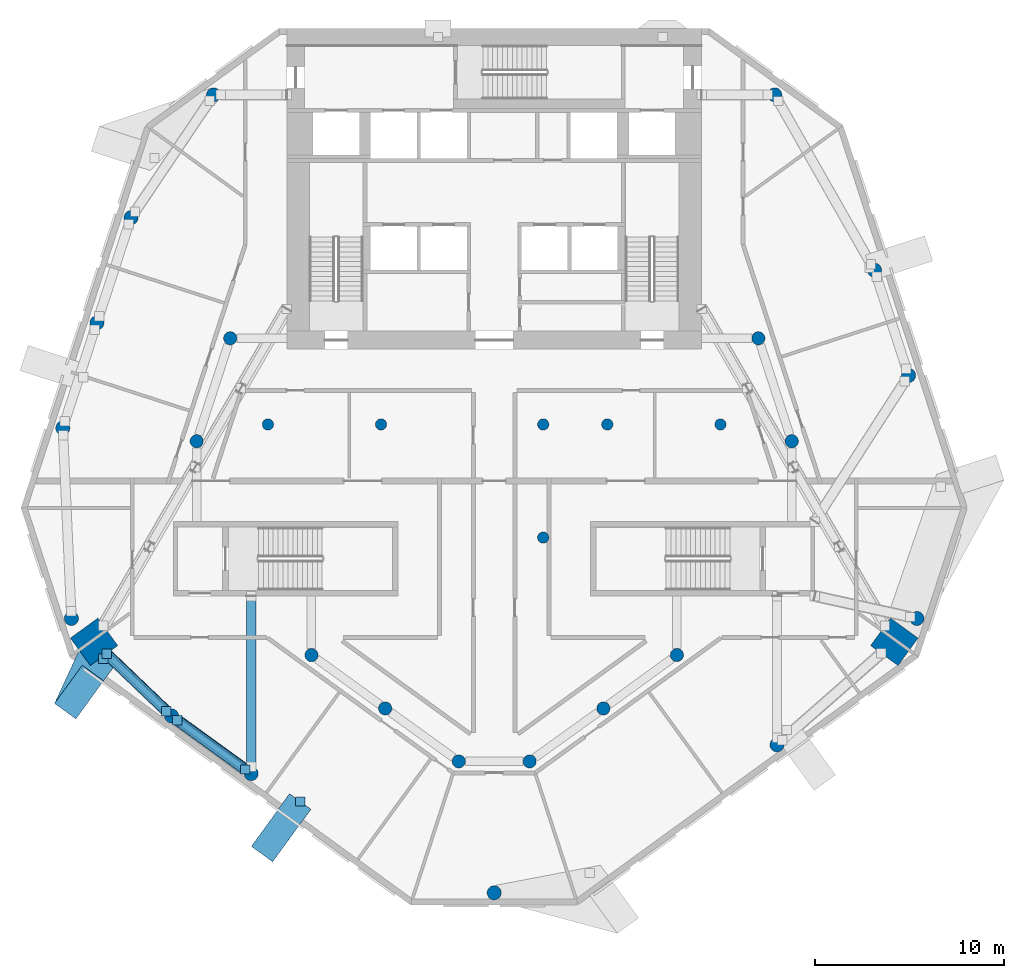
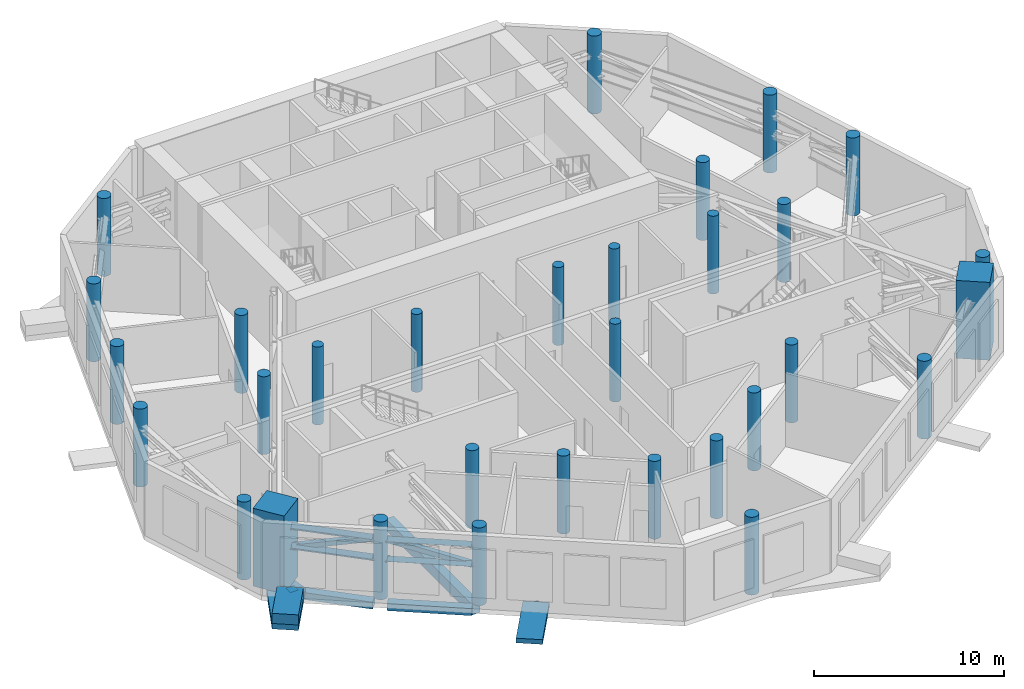
# One storey, part 1 of 17: 31 columns, 10 discrete accessories, 9 members, 3 beams.
"""IFC4 building model written with IfcOpenShell, lengths in metres."""

import ifcopenshell
import ifcopenshell.guid

model = None  # the IFC model being written
_history = None  # IfcOwnerHistory: only IFC2X3 demands one
_inside = {}  # id of a spatial element -> (the spatial element, [elements in it])
_under = {}  # id of a project, library or spatial element -> (it, [spatial elements below it])
_declared = {}  # id of a project -> (the project, [libraries it declares])
_typed = {}  # id of a type object -> (the type object, [elements of that type])
_made_of = {}  # id of a material, layer set ... -> (it, [elements and type objects made of it])


def new_model(schema):
    """Start an empty IFC model of exactly this schema.

    Asked for "IFC4X3", IfcOpenShell would pick the latest addendum, in which some entities
    have other attributes; the version numbers below select the first issue.
    IFC2X3 requires an IfcOwnerHistory on every rooted entity: one is made here for all.
    """
    global model, _history
    if schema == "IFC4X3":
        model = ifcopenshell.file(schema_version=(4, 3, 0, 0))
    else:
        model = ifcopenshell.file(schema=schema)
    _inside.clear()
    _under.clear()
    _declared.clear()
    _typed.clear()
    _made_of.clear()
    _history = None
    if model.schema == "IFC2X3":
        org = make("IfcOrganization", Name="unknown")
        user = make(
            "IfcPersonAndOrganization",
            ThePerson=make("IfcPerson", FamilyName="unknown"),
            TheOrganization=org,
        )
        app = make(
            "IfcApplication",
            ApplicationDeveloper=org,
            Version="unknown",
            ApplicationFullName="unknown",
            ApplicationIdentifier="unknown",
        )
        _history = make(
            "IfcOwnerHistory",
            OwningUser=user,
            OwningApplication=app,
            ChangeAction="ADDED",
            CreationDate=0,
        )
    return model


def make(cls, **values):
    """One entity of the class cls with the attributes given. An attribute that is None is left unset."""
    return model.create_entity(
        cls, **{name: value for name, value in values.items() if value is not None}
    )


def rooted(cls, **values):
    """An entity with a GlobalId (a new one), such as an element, a storey or a relation."""
    return make(cls, GlobalId=ifcopenshell.guid.new(), OwnerHistory=_history, **values)


def si_unit(unit_type, name, prefix=None):
    """IfcSIUnit, for example si_unit("LENGTHUNIT", "METRE", prefix="MILLI")."""
    return make("IfcSIUnit", UnitType=unit_type, Prefix=prefix, Name=name)


def assignment(units):
    """IfcUnitAssignment: the units of a project."""
    return None if units is None else make("IfcUnitAssignment", Units=units)


def point(xyz):
    """IfcCartesianPoint."""
    return None if xyz is None else make("IfcCartesianPoint", Coordinates=xyz)


def direction(xyz):
    """IfcDirection."""
    return None if xyz is None else make("IfcDirection", DirectionRatios=xyz)


def frame(location, z_axis=None, x_axis=None):
    """IfcAxis2Placement3D, a coordinate frame: its origin and axes. An axis left out is left unset."""
    return make(
        "IfcAxis2Placement3D",
        Location=point(location),
        Axis=direction(z_axis),
        RefDirection=direction(x_axis),
    )


def frame_2d(location, x_axis=None):
    """IfcAxis2Placement2D, a coordinate frame in the plane: its origin and x axis."""
    return make(
        "IfcAxis2Placement2D", Location=point(location), RefDirection=direction(x_axis)
    )


def origin():
    """The frame at (0, 0, 0) with its axes left unset."""
    return frame((0.0, 0.0, 0.0))


def origin_2d():
    """The frame at (0, 0) in the plane with its x axis left unset."""
    return frame_2d((0.0, 0.0))


def place(relative_to, where):
    """IfcLocalPlacement: puts the frame where relative to a parent placement (None: the world)."""
    return make(
        "IfcLocalPlacement", PlacementRelTo=relative_to, RelativePlacement=where
    )


def context(
    kind, dimensions, precision=None, world=None, true_north=None, identifier=None
):
    """IfcGeometricRepresentationContext, for example the 3D "Model" context."""
    return make(
        "IfcGeometricRepresentationContext",
        ContextIdentifier=identifier,
        ContextType=kind,
        CoordinateSpaceDimension=dimensions,
        Precision=precision,
        WorldCoordinateSystem=world,
        TrueNorth=true_north,
    )


def subcontext(parent, identifier, kind, view, scale=None):
    """IfcGeometricRepresentationSubContext, for example "Body" below "Model"."""
    return make(
        "IfcGeometricRepresentationSubContext",
        ContextIdentifier=identifier,
        ContextType=kind,
        ParentContext=parent,
        TargetScale=scale,
        TargetView=view,
    )


def project(units=None, contexts=None):
    """IfcProject with its units and contexts."""
    return rooted(
        "IfcProject",
        Name="project",
        RepresentationContexts=contexts,
        UnitsInContext=assignment(units),
    )


def spatial(cls, under=None, at=None, **own):
    """A site, building, storey or space (cls), placed at a placement, below another one or the project."""
    s = rooted(cls, ObjectPlacement=at, **own)
    if under is not None:
        _under.setdefault(under.id(), (under, []))[1].append(s)
    return s


def polyline(points):
    """IfcPolyline through the points."""
    return make("IfcPolyline", Points=[point(p) for p in points])


def profile(cls, at=None, kind="AREA", **sizes):
    """A parametric profile (cls). Its sizes go by their IFC names, for example OverallWidth=200.0."""
    return make(cls, ProfileType=kind, Position=at, **sizes)


def rectangle(**sizes):
    """IfcRectangleProfileDef."""
    return profile("IfcRectangleProfileDef", **sizes)


def hollow_rectangle(**sizes):
    """IfcRectangleHollowProfileDef."""
    return profile("IfcRectangleHollowProfileDef", **sizes)


def circle(**sizes):
    """IfcCircleProfileDef."""
    return profile("IfcCircleProfileDef", **sizes)


def i_section(**sizes):
    """IfcIShapeProfileDef."""
    return profile("IfcIShapeProfileDef", **sizes)


def outline(outer, holes=None, kind="AREA"):
    """IfcArbitraryClosedProfileDef: a profile drawn as a closed curve; with holes, ...WithVoids."""
    if holes is None:
        return make("IfcArbitraryClosedProfileDef", ProfileType=kind, OuterCurve=outer)
    return make(
        "IfcArbitraryProfileDefWithVoids",
        ProfileType=kind,
        OuterCurve=outer,
        InnerCurves=holes,
    )


def extrude(swept, where, along, depth):
    """IfcExtrudedAreaSolid: the profile swept, set in the frame where, extruded along a direction by depth."""
    return make(
        "IfcExtrudedAreaSolid",
        SweptArea=swept,
        Position=where,
        ExtrudedDirection=direction(along),
        Depth=depth,
    )


def shape(context_of_items, identifier, shape_type, items):
    """IfcShapeRepresentation: the items that make up one representation, for example the "Body"."""
    return make(
        "IfcShapeRepresentation",
        ContextOfItems=context_of_items,
        RepresentationIdentifier=identifier,
        RepresentationType=shape_type,
        Items=items,
    )


def material(Name=None, Category=None):
    """IfcMaterial."""
    return make("IfcMaterial", Name=Name, Category=Category)


def layer(
    of_material, thickness, ventilated=None, Name=None, Category=None, Priority=None
):
    """IfcMaterialLayer: one layer of a wall or slab, of a material (None: an air gap)."""
    return make(
        "IfcMaterialLayer",
        Material=of_material,
        LayerThickness=thickness,
        IsVentilated=ventilated,
        Name=Name,
        Category=Category,
        Priority=Priority,
    )


def layer_set(layers, Name=None):
    """IfcMaterialLayerSet."""
    return make("IfcMaterialLayerSet", MaterialLayers=layers, LayerSetName=Name)


def material_profile(
    of_material, cross_section, Name=None, Category=None, Priority=None
):
    """IfcMaterialProfile: a cross section and its material."""
    return make(
        "IfcMaterialProfile",
        Name=Name,
        Material=of_material,
        Profile=cross_section,
        Priority=Priority,
        Category=Category,
    )


def profile_set(profiles, Name=None, composite=None):
    """IfcMaterialProfileSet."""
    return make(
        "IfcMaterialProfileSet",
        Name=Name,
        MaterialProfiles=profiles,
        CompositeProfile=composite,
    )


def made_of(thing, what):
    """Note that an element or type object is made of a material, layer set ...; save() writes the relation."""
    if what is not None:
        _made_of.setdefault(what.id(), (what, []))[1].append(thing)
    return thing


def type_object(cls, material=None, **own):
    """A type object (cls), such as IfcWallType, which elements share."""
    return made_of(rooted(cls, **own), material)


def element(
    cls,
    number,
    at=None,
    inside=None,
    cuts=None,
    type_object=None,
    material=None,
    context=None,
    identifier="Body",
    shape_type=None,
    held_by="IfcProductDefinitionShape",
    body=None,
    shapes=None,
    **own,
):
    """One element of the class cls, such as IfcWall. Its Tag is "e" and its number.

    at: its placement. inside: the storey or other place that contains it. cuts: it is an
    opening in that element (IfcRelVoidsElement). A single representation is given by context,
    identifier, shape_type and body (its items); several are given by shapes. held_by: the class
    of the entity that holds the representations. save() writes the other relations.
    """
    e = rooted(cls, Tag="e%d" % number, ObjectPlacement=at, **own)
    if body is not None:
        shapes = [shape(context, identifier, shape_type, body)]
    if shapes is not None:
        e.Representation = make(held_by, Representations=shapes)
    if inside is not None:
        _inside.setdefault(inside.id(), (inside, []))[1].append(e)
    if cuts is not None:
        rooted(
            "IfcRelVoidsElement", RelatingBuildingElement=cuts, RelatedOpeningElement=e
        )
    if type_object is not None:
        _typed.setdefault(type_object.id(), (type_object, []))[1].append(e)
    return made_of(e, material)


def aggregate(whole, parts):
    """IfcRelAggregates: a whole, such as a stair, and the parts it consists of."""
    return rooted("IfcRelAggregates", RelatingObject=whole, RelatedObjects=parts)


def save(model, path):
    """Write the relations noted so far, then the file.

    IfcRelAggregates (storeys below a building ...), IfcRelContainedInSpatialStructure (elements
    in a storey), IfcRelDefinesByType, IfcRelAssociatesMaterial and IfcRelDeclares: one each for
    every whole, place, type object, material and project.
    """
    for whole, parts in _under.values():
        aggregate(whole, parts)
    for where, things in _inside.values():
        rooted(
            "IfcRelContainedInSpatialStructure",
            RelatedElements=things,
            RelatingStructure=where,
        )
    for kind, things in _typed.values():
        rooted("IfcRelDefinesByType", RelatedObjects=things, RelatingType=kind)
    for what, things in _made_of.values():
        rooted("IfcRelAssociatesMaterial", RelatedObjects=things, RelatingMaterial=what)
    for by, libraries in _declared.values():
        rooted("IfcRelDeclares", RelatingContext=by, RelatedDefinitions=libraries)
    model.write(path)


model = new_model("IFC4")

# Units and contexts
model_context = context("Model", 3, precision=1e-05, world=origin(), true_north=direction((0.0, 1.0)))
body_context = subcontext(model_context, "Body", "Model", "MODEL_VIEW")
ifc_project = project(units=[si_unit("LENGTHUNIT", "METRE"), si_unit("AREAUNIT", "SQUARE_METRE"), si_unit("VOLUMEUNIT", "CUBIC_METRE"), si_unit("PLANEANGLEUNIT", "RADIAN"), si_unit("MASSUNIT", "GRAM", prefix="KILO")], contexts=[model_context])

# Site, building, storey
site_placement = place(None, origin())
site = spatial("IfcSite", under=ifc_project, at=site_placement, CompositionType="ELEMENT")
building_placement = place(site_placement, origin())
building = spatial("IfcBuilding", under=site, at=building_placement, Name="White Candle Pilgrim Tower", CompositionType="ELEMENT")
storey_placement = place(building_placement, frame((0.0, 0.0, 191.5)))
storey = spatial("IfcBuildingStorey", under=building, at=storey_placement, Name="L44", CompositionType="ELEMENT", Elevation=191.5)

# Columns
ifc_material_1 = material(Name="Concrete C70/85", Category="concrete")
ifc_material_profile_1 = material_profile(ifc_material_1, circle(Radius=0.300048828125, at=origin_2d()), Name="RC-COL D600")
ifc_profile_set_1 = profile_set([ifc_material_profile_1], Name="Concrete C70/85")
column_type_1 = type_object("IfcColumnType", Name="Interior column RC-COL D600 C70/85", PredefinedType="COLUMN", material=ifc_profile_set_1)
for number, where, z_axis, x_axis, name in (
    (1, (58.0, 67.0, 0.0), (0.0, 0.0, 1.0), (1.0, 0.0, 0.0), "L44 column I01"),
    (2, (64.0, 67.0, 0.0), (0.0, 0.0, 1.0), (1.0, 0.0, 0.0), "L44 column I02"),
    (3, (72.60009765625, 61.0, 0.0), (0.0, 0.0, 1.0), (1.0, 0.0, 0.0), "L44 column I03"),
    (4, (72.60009765625, 67.0, 0.0), (0.0, 0.0, 1.0), (1.0, 0.0, 0.0), "L44 column I04"),
    (5, (76.0, 67.0, 0.0), (0.0, 0.0, 1.0), (1.0, 0.0, 0.0), "L44 column I05"),
    (6, (82.0, 67.0, 0.0), (0.0, 0.0, 1.0), (1.0, 0.0, 0.0), "L44 column I06"),
):
    element("IfcColumn", number, at=place(storey_placement, frame(where, z_axis=z_axis, x_axis=x_axis)), inside=storey, type_object=column_type_1, Name=name, PredefinedType="COLUMN", context=body_context, shape_type="SweptSolid", body=[
        extrude(circle(Radius=0.300048828125, at=origin_2d()), origin(), (0.0, 0.0, 1.0), 5.0),
    ])
ifc_material_profile_2 = material_profile(ifc_material_1, rectangle(XDim=1.800048828125, YDim=1.800048828125, at=origin_2d()), Name="RC 1800x1800")
ifc_profile_set_2 = profile_set([ifc_material_profile_2], Name="Concrete C70/85")
column_type_2 = type_object("IfcColumnType", Name="Mega column RC 1800x1800 C70/85", PredefinedType="COLUMN", material=ifc_profile_set_2)
for number, where, z_axis, x_axis, name in (
    (7, (48.780029296875, 55.469970703125, 0.0), (0.0, 0.0, 1.0), (-0.809016994375, -0.587785252292, 0.0), "L44 mega column T02"),
    (8, (91.219970703125, 55.469970703125, 0.0), (0.0, 0.0, 1.0), (0.809016994375, -0.587785252292, 0.0), "L44 mega column T07"),
):
    element("IfcColumn", number, at=place(storey_placement, frame(where, z_axis=z_axis, x_axis=x_axis)), inside=storey, type_object=column_type_2, Name=name, PredefinedType="COLUMN", context=body_context, shape_type="SweptSolid", body=[
        extrude(rectangle(XDim=1.800048828125, YDim=1.800048828125, at=origin_2d()), origin(), (0.0, 0.0, 1.0), 5.0),
    ])
ifc_material_profile_3 = material_profile(ifc_material_1, circle(Radius=0.375, at=origin_2d()), Name="RC-COL D750")
ifc_profile_set_3 = profile_set([ifc_material_profile_3], Name="Concrete C70/85")
column_type_3 = type_object("IfcColumnType", Name="Perimeter column RC-COL D750 C70/85", PredefinedType="COLUMN", material=ifc_profile_set_3)
for number, where, z_axis, x_axis, name in (
    (9, (47.580078125, 56.7099609375, 0.0), (0.0, 0.0, 1.0), (1.0, 0.0, 0.0), "L44 column T01"),
    (10, (52.889892578125, 51.5400390625, 0.0), (0.0, 0.0, 1.0), (1.0, 0.0, 0.0), "L44 column T03"),
    (11, (57.110107421875, 48.47998046875, 0.0), (0.0, 0.0, 1.0), (1.0, 0.0, 0.0), "L44 column T04"),
    (12, (70.0, 42.159912109375, 0.0), (0.0, 0.0, 1.0), (1.0, 0.0, 0.0), "L44 column T05"),
    (13, (85.0, 50.010009765625, 0.0), (0.0, 0.0, 1.0), (1.0, 0.0, 0.0), "L44 column T06"),
    (14, (92.419921875, 56.7099609375, 0.0), (0.0, 0.0, 1.0), (1.0, 0.0, 0.0), "L44 column T08"),
    (15, (91.97998046875, 69.60009765625, 0.0), (0.0, 0.0, 1.0), (1.0, 0.0, 0.0), "L44 column T09"),
    (16, (90.169921875, 75.179931640625, 0.0), (0.0, 0.0, 1.0), (1.0, 0.0, 0.0), "L44 column T10"),
    (17, (84.8798828125, 84.47998046875, 0.0), (0.0, 0.0, 1.0), (1.0, 0.0, 0.0), "L44 column T11"),
    (18, (55.1201171875, 84.47998046875, 0.0), (0.0, 0.0, 1.0), (1.0, 0.0, 0.0), "L44 column T12"),
    (19, (50.739990234375, 77.969970703125, 0.0), (0.0, 0.0, 1.0), (1.0, 0.0, 0.0), "L44 column T13"),
    (20, (48.929931640625, 72.389892578125, 0.0), (0.0, 0.0, 1.0), (1.0, 0.0, 0.0), "L44 column T14"),
    (21, (47.1201171875, 66.81005859375, 0.0), (0.0, 0.0, 1.0), (1.0, 0.0, 0.0), "L44 column T15"),
):
    element("IfcColumn", number, at=place(storey_placement, frame(where, z_axis=z_axis, x_axis=x_axis)), inside=storey, type_object=column_type_3, Name=name, PredefinedType="COLUMN", context=body_context, shape_type="SweptSolid", body=[
        extrude(circle(Radius=0.375, at=origin_2d()), origin(), (0.0, 0.0, 1.0), 5.0),
    ])
ifc_material_profile_4 = material_profile(ifc_material_1, circle(Radius=0.35009765625, at=origin_2d()), Name="RC-COL D700")
ifc_profile_set_4 = profile_set([ifc_material_profile_4], Name="Concrete C70/85")
column_type_4 = type_object("IfcColumnType", Name="Ring column RC-COL D700 C70/85", PredefinedType="COLUMN", material=ifc_profile_set_4)
for number, where, z_axis, x_axis, name in (
    (22, (60.31005859375, 54.77001953125, 0.0), (0.0, 0.0, 1.0), (1.0, 0.0, 0.0), "L44 column R01"),
    (23, (64.219970703125, 51.93994140625, 0.0), (0.0, 0.0, 1.0), (1.0, 0.0, 0.0), "L44 column R02"),
    (24, (68.1201171875, 49.1298828125, 0.0), (0.0, 0.0, 1.0), (1.0, 0.0, 0.0), "L44 column R03"),
    (25, (71.8798828125, 49.1298828125, 0.0), (0.0, 0.0, 1.0), (1.0, 0.0, 0.0), "L44 column R04"),
    (26, (75.7900390625, 51.93994140625, 0.0), (0.0, 0.0, 1.0), (1.0, 0.0, 0.0), "L44 column R05"),
    (27, (79.68994140625, 54.77001953125, 0.0), (0.0, 0.0, 1.0), (1.0, 0.0, 0.0), "L44 column R06"),
    (28, (85.780029296875, 66.110107421875, 0.0), (0.0, 0.0, 1.0), (1.0, 0.0, 0.0), "L44 column R07"),
    (29, (84.010009765625, 71.570068359375, 0.0), (0.0, 0.0, 1.0), (1.0, 0.0, 0.0), "L44 column R08"),
    (30, (56.0, 71.570068359375, 0.0), (0.0, 0.0, 1.0), (1.0, 0.0, 0.0), "L44 column R09"),
    (31, (54.219970703125, 66.110107421875, 0.0), (0.0, 0.0, 1.0), (1.0, 0.0, 0.0), "L44 column R10"),
):
    element("IfcColumn", number, at=place(storey_placement, frame(where, z_axis=z_axis, x_axis=x_axis)), inside=storey, type_object=column_type_4, Name=name, PredefinedType="COLUMN", context=body_context, shape_type="SweptSolid", body=[
        extrude(circle(Radius=0.35009765625, at=origin_2d()), origin(), (0.0, 0.0, 1.0), 5.0),
    ])

# Member
ifc_material_2 = material(Name="Steel S355", Category="steel")
ifc_material_profile_5 = material_profile(ifc_material_2, i_section(OverallWidth=0.305908203125, OverallDepth=0.52392578125, WebThickness=0.02099609375, FlangeThickness=0.0400390625, FilletRadius=0.027099609375, at=origin_2d()), Name="HEM 500")
ifc_profile_set_5 = profile_set([ifc_material_profile_5], Name="Steel S355")
member_type_1 = type_object("IfcMemberType", Name="Belt truss chord HEM 500 S355", PredefinedType="CHORD", material=ifc_profile_set_5)
member_1_placement = place(storey_placement, frame((49.441162109375, 54.837890625, 2.412109375), z_axis=(0.722753991569, -0.691105395487, 0.0), x_axis=(0.477631683885, 0.49950442911, 0.722747051082)))
member_1 = element("IfcMember", 32, at=member_1_placement, inside=storey, type_object=member_type_1, Name="L44 belt truss bottom chord 01", PredefinedType="CHORD", context=body_context, shape_type="SweptSolid", body=[
    extrude(i_section(OverallWidth=0.305908203125, OverallDepth=0.52392578125, WebThickness=0.02099609375, FlangeThickness=0.0400390625, FilletRadius=0.027099609375, at=origin_2d()), origin(), (0.0, 0.0, 1.0), 4.39697265625),
])

member_2_placement = place(storey_placement, frame((49.441162109375, 54.837890625, 3.677978515625), z_axis=(0.722753991569, -0.691105395487, 0.0), x_axis=(0.477631683885, 0.49950442911, 0.722747051082)))
member_2 = element("IfcMember", 33, at=member_2_placement, inside=storey, type_object=member_type_1, Name="L44 belt truss top chord 01", PredefinedType="CHORD", context=body_context, shape_type="SweptSolid", body=[
    extrude(i_section(OverallWidth=0.305908203125, OverallDepth=0.52392578125, WebThickness=0.02099609375, FlangeThickness=0.0400390625, FilletRadius=0.027099609375, at=origin_2d()), origin(), (0.0, 0.0, 1.0), 4.39697265625),
])

member_3_placement = place(storey_placement, frame((53.193359375, 51.320068359375, 2.412109375), z_axis=(0.809558451789, -0.587039277338, 0.0), x_axis=(0.344610090038, 0.47523568138, 0.809564656459)))
member_3 = element("IfcMember", 34, at=member_3_placement, inside=storey, type_object=member_type_1, Name="L44 belt truss bottom chord 02", PredefinedType="CHORD", context=body_context, shape_type="SweptSolid", body=[
    extrude(i_section(OverallWidth=0.305908203125, OverallDepth=0.52392578125, WebThickness=0.02099609375, FlangeThickness=0.0400390625, FilletRadius=0.027099609375, at=origin_2d()), origin(), (0.0, 0.0, 1.0), 4.46337890625),
])

member_4_placement = place(storey_placement, frame((53.193359375, 51.320068359375, 3.677978515625), z_axis=(0.809558451789, -0.587039277338, 0.0), x_axis=(0.344610090038, 0.47523568138, 0.809564656459)))
member_4 = element("IfcMember", 35, at=member_4_placement, inside=storey, type_object=member_type_1, Name="L44 belt truss top chord 02", PredefinedType="CHORD", context=body_context, shape_type="SweptSolid", body=[
    extrude(i_section(OverallWidth=0.305908203125, OverallDepth=0.52392578125, WebThickness=0.02099609375, FlangeThickness=0.0400390625, FilletRadius=0.027099609375, at=origin_2d()), origin(), (0.0, 0.0, 1.0), 4.46337890625),
])

# Members
ifc_material_profile_6 = material_profile(ifc_material_2, hollow_rectangle(XDim=0.300048828125, YDim=0.300048828125, WallThickness=0.01611328125, at=origin_2d()), Name="SHS 300x300x16")
ifc_profile_set_6 = profile_set([ifc_material_profile_6], Name="Steel S355")
member_type_2 = type_object("IfcMemberType", Name="Belt truss diagonal SHS 300x300x16 S355", PredefinedType="BRACE", material=ifc_profile_set_6)
member_5_placement = place(storey_placement, frame((49.441162109375, 54.837890625, 2.412109375), z_axis=(0.694544482934, -0.664131149964, 0.276654616579), x_axis=(0.691105395487, 0.722753991569, 0.0)))
element("IfcMember", 36, at=member_5_placement, inside=storey, type_object=member_type_2, Name="L44 belt truss diagonal 01", PredefinedType="BRACE", context=body_context, shape_type="SweptSolid", body=[
    extrude(hollow_rectangle(XDim=0.300048828125, YDim=0.300048828125, WallThickness=0.01611328125, at=origin_2d()), origin(), (0.0, 0.0, 1.0), 4.57568359375),
])
member_6_placement = place(storey_placement, frame((53.193359375, 51.320068359375, 3.677978515625), z_axis=(0.77883945054, -0.564763850216, -0.272856929125), x_axis=(0.587039277338, 0.809558451789, 0.0)))
element("IfcMember", 37, at=member_6_placement, inside=storey, type_object=member_type_2, Name="L44 belt truss diagonal 02", PredefinedType="BRACE", context=body_context, shape_type="SweptSolid", body=[
    extrude(hollow_rectangle(XDim=0.300048828125, YDim=0.300048828125, WallThickness=0.01611328125, at=origin_2d()), origin(), (0.0, 0.0, 1.0), 4.639404296875),
])

# Member
ifc_material_3 = material(Name="Concrete C70/85, white", Category="concrete")
ifc_layer_1 = layer(ifc_material_3, 0.300048828125)
ifc_layer_set_1 = layer_set([ifc_layer_1], Name="Node tie strut 3450x1400x300 C70/85")
member_type_3 = type_object("IfcMemberType", Name="Node tie strut 3450x1400x300 C70/85", PredefinedType="STRUT", material=ifc_layer_set_1)
member_7_placement = place(storey_placement, frame((0.0, 0.0, -0.35009765625)))
member_7 = element("IfcMember", 38, at=member_7_placement, inside=storey, type_object=member_type_3, Name="Node tie strut NC147", PredefinedType="STRUT", context=body_context, shape_type="SweptSolid", body=[
    extrude(outline(polyline([(47.815185546875, 51.382568359375), (49.843017578125, 54.173583984375), (49.6953125, 55.022705078125), (48.580810546875, 54.212890625), (47.990234375, 55.02587890625), (46.6826171875, 52.20556640625), (47.815185546875, 51.382568359375)])), origin(), (0.0, 0.0, 1.0), 0.35009765625),
])

member_8_placement = place(storey_placement, origin())
element("IfcMember", 39, at=member_8_placement, inside=storey, type_object=member_type_3, Name="Node tie strut NC147", PredefinedType="STRUT", context=body_context, shape_type="SweptSolid", body=[
    extrude(outline(polyline([(47.815185546875, 51.382568359375), (49.284912109375, 53.4052734375), (48.152099609375, 54.22802734375), (46.6826171875, 52.20556640625), (47.815185546875, 51.382568359375)])), origin(), (0.0, 0.0, 1.0), 0.64990234375),
])

member_9_placement = place(storey_placement, frame((58.698974609375, 45.607421875, -0.2998046875), z_axis=(0.0, 0.0, 1.0), x_axis=(0.809016994375, -0.587785252292, 0.0)))
member_9 = element("IfcMember", 40, at=member_9_placement, inside=storey, type_object=member_type_3, Name="Node tie strut NC148", PredefinedType="STRUT", context=body_context, shape_type="SweptSolid", body=[
    extrude(rectangle(XDim=1.39990234375, YDim=3.449951171875, at=origin_2d()), origin(), (0.0, 0.0, 1.0), 0.300048828125),
])

# Beams
ifc_material_4 = material(Name="Concrete C50/60", Category="concrete")
ifc_material_profile_7 = material_profile(ifc_material_4, rectangle(XDim=0.5, YDim=0.449951171875, at=origin_2d()), Name="RC-BM 500x450")
ifc_profile_set_7 = profile_set([ifc_material_profile_7], Name="Concrete C50/60")
beam_type_1 = type_object("IfcBeamType", Name="Spandrel beam RC-BM 500x450 C50/60", PredefinedType="BEAM", material=ifc_profile_set_7)
beam_1_placement = place(storey_placement, frame((49.441162109375, 54.837890625, -0.52490234375), z_axis=(0.722753991569, -0.691105395487, 0.0), x_axis=(0.691105395487, 0.722753991569, 0.0)))
element("IfcBeam", 41, at=beam_1_placement, inside=storey, type_object=beam_type_1, Name="L44 spandrel beam T01", PredefinedType="BEAM", context=body_context, shape_type="SweptSolid", body=[
    extrude(rectangle(XDim=0.5, YDim=0.449951171875, at=origin_2d()), origin(), (0.0, 0.0, 1.0), 4.39697265625),
])
beam_2_placement = place(storey_placement, frame((53.193359375, 51.320068359375, -0.52490234375), z_axis=(0.809558451789, -0.587039277338, 0.0), x_axis=(0.587039277338, 0.809558451789, 0.0)))
element("IfcBeam", 42, at=beam_2_placement, inside=storey, type_object=beam_type_1, Name="L44 spandrel beam T02", PredefinedType="BEAM", context=body_context, shape_type="SweptSolid", body=[
    extrude(rectangle(XDim=0.5, YDim=0.449951171875, at=origin_2d()), origin(), (0.0, 0.0, 1.0), 4.46337890625),
])
ifc_material_profile_8 = material_profile(ifc_material_4, rectangle(XDim=0.5, YDim=0.699951171875, at=origin_2d()), Name="RC-BM 500x700")
ifc_profile_set_8 = profile_set([ifc_material_profile_8], Name="Concrete C50/60")
beam_type_2 = type_object("IfcBeamType", Name="Spandrel beam RC-BM 500x700 C50/60", PredefinedType="BEAM", material=ifc_profile_set_8)
beam_3_placement = place(storey_placement, frame((57.110107421875, 48.85498046875, -0.64990234375), z_axis=(0.0, 1.0, 0.0), x_axis=(-1.0, 0.0, 0.0)))
element("IfcBeam", 43, at=beam_3_placement, inside=storey, type_object=beam_type_2, Name="L44 spandrel beam T03", PredefinedType="BEAM", context=body_context, shape_type="SweptSolid", body=[
    extrude(rectangle(XDim=0.5, YDim=0.699951171875, at=origin_2d()), origin(), (0.0, 0.0, 1.0), 9.044921875),
])

# Discrete accessory
ifc_layer_2 = layer(ifc_material_2, 0.02490234375)
ifc_layer_set_2 = layer_set([ifc_layer_2], Name="Gusset plate 500x500x25 S355")
discrete_accessory_type = type_object("IfcDiscreteAccessoryType", Name="Gusset plate 500x500x25 S355", PredefinedType="BRACKET", material=ifc_layer_set_2)
discrete_accessory_1_placement = place(storey_placement, frame((49.27685546875, 54.585205078125, -0.162353515625), z_axis=(0.0, 0.0, 1.0), x_axis=(1.0, 0.0, 0.0)))
discrete_accessory_1 = element("IfcDiscreteAccessory", 44, at=discrete_accessory_1_placement, type_object=discrete_accessory_type, Name="Gusset plate 0528", PredefinedType="BRACKET", context=body_context, shape_type="SweptSolid", body=[
    extrude(rectangle(XDim=0.5, YDim=0.5, at=origin_2d()), origin(), (0.0, 0.0, 1.0), 0.02490234375),
])

aggregate(member_7, [discrete_accessory_1])

discrete_accessory_2_placement = place(storey_placement, frame((59.712890625, 47.0029296875, -0.162353515625), z_axis=(0.0, 0.0, 1.0), x_axis=(1.0, 0.0, 0.0)))
discrete_accessory_2 = element("IfcDiscreteAccessory", 45, at=discrete_accessory_2_placement, type_object=discrete_accessory_type, Name="Gusset plate 0529", PredefinedType="BRACKET", context=body_context, shape_type="SweptSolid", body=[
    extrude(rectangle(XDim=0.5, YDim=0.5, at=origin_2d()), origin(), (0.0, 0.0, 1.0), 0.02490234375),
])

aggregate(member_9, [discrete_accessory_2])

discrete_accessory_3_placement = place(storey_placement, frame((49.441162109375, 54.837890625, 2.399658203125), z_axis=(0.0, 0.0, 1.0), x_axis=(1.0, 0.0, 0.0)))
discrete_accessory_3 = element("IfcDiscreteAccessory", 46, at=discrete_accessory_3_placement, type_object=discrete_accessory_type, Name="Gusset plate 0778", PredefinedType="BRACKET", context=body_context, shape_type="SweptSolid", body=[
    extrude(rectangle(XDim=0.5, YDim=0.5, at=origin_2d()), origin(), (0.0, 0.0, 1.0), 0.02490234375),
])

discrete_accessory_4_placement = place(storey_placement, frame((52.619140625, 51.799072265625, 2.399658203125), z_axis=(0.0, 0.0, 1.0), x_axis=(1.0, 0.0, 0.0)))
discrete_accessory_4 = element("IfcDiscreteAccessory", 47, at=discrete_accessory_4_placement, type_object=discrete_accessory_type, Name="Gusset plate 0779", PredefinedType="BRACKET", context=body_context, shape_type="SweptSolid", body=[
    extrude(rectangle(XDim=0.5, YDim=0.5, at=origin_2d()), origin(), (0.0, 0.0, 1.0), 0.02490234375),
])

aggregate(member_1, [discrete_accessory_3, discrete_accessory_4])

discrete_accessory_5_placement = place(storey_placement, frame((49.441162109375, 54.837890625, 3.66552734375), z_axis=(0.0, 0.0, 1.0), x_axis=(1.0, 0.0, 0.0)))
discrete_accessory_5 = element("IfcDiscreteAccessory", 48, at=discrete_accessory_5_placement, type_object=discrete_accessory_type, Name="Gusset plate 0780", PredefinedType="BRACKET", context=body_context, shape_type="SweptSolid", body=[
    extrude(rectangle(XDim=0.5, YDim=0.5, at=origin_2d()), origin(), (0.0, 0.0, 1.0), 0.02490234375),
])

discrete_accessory_6_placement = place(storey_placement, frame((52.619140625, 51.799072265625, 3.66552734375), z_axis=(0.0, 0.0, 1.0), x_axis=(1.0, 0.0, 0.0)))
discrete_accessory_6 = element("IfcDiscreteAccessory", 49, at=discrete_accessory_6_placement, type_object=discrete_accessory_type, Name="Gusset plate 0781", PredefinedType="BRACKET", context=body_context, shape_type="SweptSolid", body=[
    extrude(rectangle(XDim=0.5, YDim=0.5, at=origin_2d()), origin(), (0.0, 0.0, 1.0), 0.02490234375),
])

aggregate(member_2, [discrete_accessory_5, discrete_accessory_6])

discrete_accessory_7_placement = place(storey_placement, frame((53.193359375, 51.320068359375, 2.399658203125), z_axis=(0.0, 0.0, 1.0), x_axis=(1.0, 0.0, 0.0)))
discrete_accessory_7 = element("IfcDiscreteAccessory", 50, at=discrete_accessory_7_placement, type_object=discrete_accessory_type, Name="Gusset plate 0782", PredefinedType="BRACKET", context=body_context, shape_type="SweptSolid", body=[
    extrude(rectangle(XDim=0.5, YDim=0.5, at=origin_2d()), origin(), (0.0, 0.0, 1.0), 0.02490234375),
])

discrete_accessory_8_placement = place(storey_placement, frame((56.806640625, 48.699951171875, 2.399658203125), z_axis=(0.0, 0.0, 1.0), x_axis=(1.0, 0.0, 0.0)))
discrete_accessory_8 = element("IfcDiscreteAccessory", 51, at=discrete_accessory_8_placement, type_object=discrete_accessory_type, Name="Gusset plate 0783", PredefinedType="BRACKET", context=body_context, shape_type="SweptSolid", body=[
    extrude(rectangle(XDim=0.5, YDim=0.5, at=origin_2d()), origin(), (0.0, 0.0, 1.0), 0.02490234375),
])

aggregate(member_3, [discrete_accessory_7, discrete_accessory_8])

discrete_accessory_9_placement = place(storey_placement, frame((53.193359375, 51.320068359375, 3.66552734375), z_axis=(0.0, 0.0, 1.0), x_axis=(1.0, 0.0, 0.0)))
discrete_accessory_9 = element("IfcDiscreteAccessory", 52, at=discrete_accessory_9_placement, type_object=discrete_accessory_type, Name="Gusset plate 0784", PredefinedType="BRACKET", context=body_context, shape_type="SweptSolid", body=[
    extrude(rectangle(XDim=0.5, YDim=0.5, at=origin_2d()), origin(), (0.0, 0.0, 1.0), 0.02490234375),
])

discrete_accessory_10_placement = place(storey_placement, frame((56.806640625, 48.699951171875, 3.66552734375), z_axis=(0.0, 0.0, 1.0), x_axis=(1.0, 0.0, 0.0)))
discrete_accessory_10 = element("IfcDiscreteAccessory", 53, at=discrete_accessory_10_placement, type_object=discrete_accessory_type, Name="Gusset plate 0785", PredefinedType="BRACKET", context=body_context, shape_type="SweptSolid", body=[
    extrude(rectangle(XDim=0.5, YDim=0.5, at=origin_2d()), origin(), (0.0, 0.0, 1.0), 0.02490234375),
])

aggregate(member_4, [discrete_accessory_9, discrete_accessory_10])

save(model, "model.ifc")
